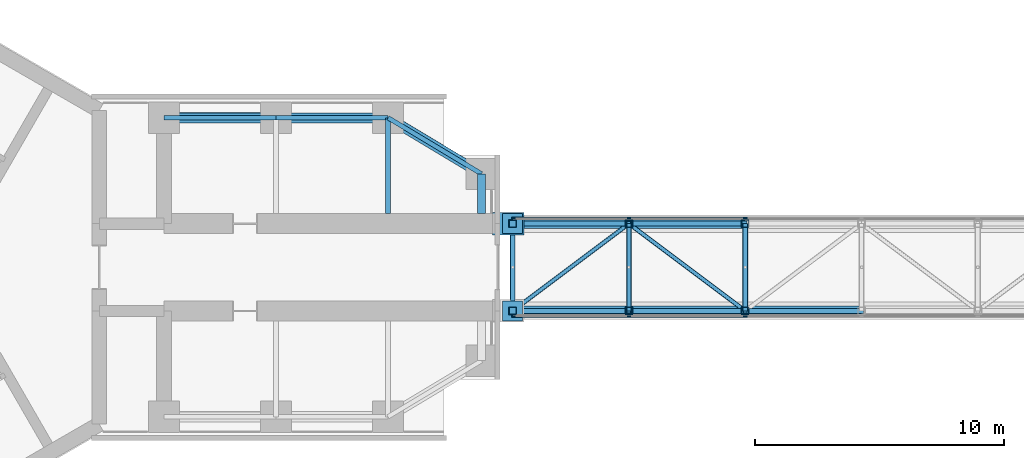
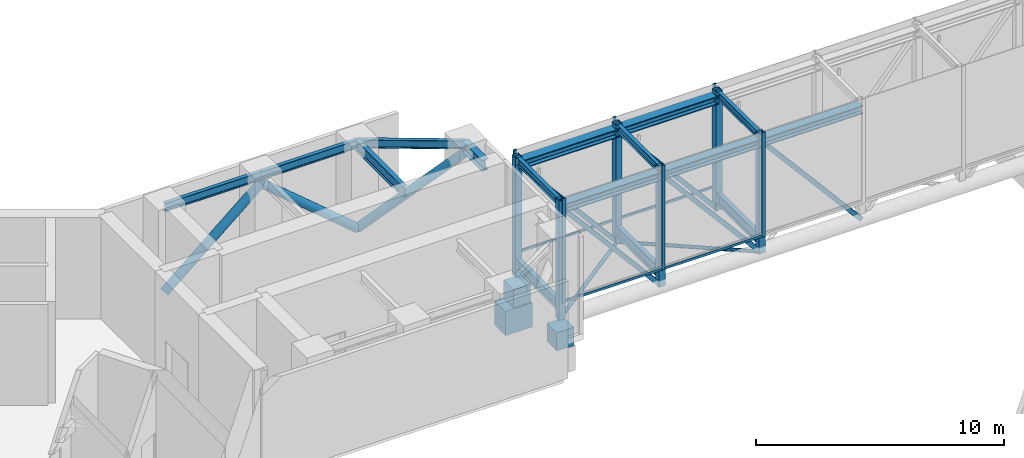
# One storey, part 2 of 15: 33 members, 12 beams, 2 elements without a shape of their own.
"""IFC4 building model written with IfcOpenShell, lengths in metres."""

import ifcopenshell
import ifcopenshell.guid

model = None  # the IFC model being written
_history = None  # IfcOwnerHistory: only IFC2X3 demands one
_inside = {}  # id of a spatial element -> (the spatial element, [elements in it])
_under = {}  # id of a project, library or spatial element -> (it, [spatial elements below it])
_declared = {}  # id of a project -> (the project, [libraries it declares])
_typed = {}  # id of a type object -> (the type object, [elements of that type])
_made_of = {}  # id of a material, layer set ... -> (it, [elements and type objects made of it])


def new_model(schema):
    """Start an empty IFC model of exactly this schema.

    Asked for "IFC4X3", IfcOpenShell would pick the latest addendum, in which some entities
    have other attributes; the version numbers below select the first issue.
    IFC2X3 requires an IfcOwnerHistory on every rooted entity: one is made here for all.
    """
    global model, _history
    if schema == "IFC4X3":
        model = ifcopenshell.file(schema_version=(4, 3, 0, 0))
    else:
        model = ifcopenshell.file(schema=schema)
    _inside.clear()
    _under.clear()
    _declared.clear()
    _typed.clear()
    _made_of.clear()
    _history = None
    if model.schema == "IFC2X3":
        org = make("IfcOrganization", Name="unknown")
        user = make(
            "IfcPersonAndOrganization",
            ThePerson=make("IfcPerson", FamilyName="unknown"),
            TheOrganization=org,
        )
        app = make(
            "IfcApplication",
            ApplicationDeveloper=org,
            Version="unknown",
            ApplicationFullName="unknown",
            ApplicationIdentifier="unknown",
        )
        _history = make(
            "IfcOwnerHistory",
            OwningUser=user,
            OwningApplication=app,
            ChangeAction="ADDED",
            CreationDate=0,
        )
    return model


def make(cls, **values):
    """One entity of the class cls with the attributes given. An attribute that is None is left unset."""
    return model.create_entity(
        cls, **{name: value for name, value in values.items() if value is not None}
    )


def rooted(cls, **values):
    """An entity with a GlobalId (a new one), such as an element, a storey or a relation."""
    return make(cls, GlobalId=ifcopenshell.guid.new(), OwnerHistory=_history, **values)


def si_unit(unit_type, name, prefix=None):
    """IfcSIUnit, for example si_unit("LENGTHUNIT", "METRE", prefix="MILLI")."""
    return make("IfcSIUnit", UnitType=unit_type, Prefix=prefix, Name=name)


def assignment(units):
    """IfcUnitAssignment: the units of a project."""
    return None if units is None else make("IfcUnitAssignment", Units=units)


def point(xyz):
    """IfcCartesianPoint."""
    return None if xyz is None else make("IfcCartesianPoint", Coordinates=xyz)


def direction(xyz):
    """IfcDirection."""
    return None if xyz is None else make("IfcDirection", DirectionRatios=xyz)


def frame(location, z_axis=None, x_axis=None):
    """IfcAxis2Placement3D, a coordinate frame: its origin and axes. An axis left out is left unset."""
    return make(
        "IfcAxis2Placement3D",
        Location=point(location),
        Axis=direction(z_axis),
        RefDirection=direction(x_axis),
    )


def frame_2d(location, x_axis=None):
    """IfcAxis2Placement2D, a coordinate frame in the plane: its origin and x axis."""
    return make(
        "IfcAxis2Placement2D", Location=point(location), RefDirection=direction(x_axis)
    )


def origin():
    """The frame at (0, 0, 0) with its axes left unset."""
    return frame((0.0, 0.0, 0.0))


def origin_2d():
    """The frame at (0, 0) in the plane with its x axis left unset."""
    return frame_2d((0.0, 0.0))


def place(relative_to, where):
    """IfcLocalPlacement: puts the frame where relative to a parent placement (None: the world)."""
    return make(
        "IfcLocalPlacement", PlacementRelTo=relative_to, RelativePlacement=where
    )


def context(
    kind, dimensions, precision=None, world=None, true_north=None, identifier=None
):
    """IfcGeometricRepresentationContext, for example the 3D "Model" context."""
    return make(
        "IfcGeometricRepresentationContext",
        ContextIdentifier=identifier,
        ContextType=kind,
        CoordinateSpaceDimension=dimensions,
        Precision=precision,
        WorldCoordinateSystem=world,
        TrueNorth=true_north,
    )


def subcontext(parent, identifier, kind, view, scale=None):
    """IfcGeometricRepresentationSubContext, for example "Body" below "Model"."""
    return make(
        "IfcGeometricRepresentationSubContext",
        ContextIdentifier=identifier,
        ContextType=kind,
        ParentContext=parent,
        TargetScale=scale,
        TargetView=view,
    )


def project(units=None, contexts=None):
    """IfcProject with its units and contexts."""
    return rooted(
        "IfcProject",
        Name="project",
        RepresentationContexts=contexts,
        UnitsInContext=assignment(units),
    )


def spatial(cls, under=None, at=None, **own):
    """A site, building, storey or space (cls), placed at a placement, below another one or the project."""
    s = rooted(cls, ObjectPlacement=at, **own)
    if under is not None:
        _under.setdefault(under.id(), (under, []))[1].append(s)
    return s


def profile(cls, at=None, kind="AREA", **sizes):
    """A parametric profile (cls). Its sizes go by their IFC names, for example OverallWidth=200.0."""
    return make(cls, ProfileType=kind, Position=at, **sizes)


def rectangle(**sizes):
    """IfcRectangleProfileDef."""
    return profile("IfcRectangleProfileDef", **sizes)


def hollow_rectangle(**sizes):
    """IfcRectangleHollowProfileDef."""
    return profile("IfcRectangleHollowProfileDef", **sizes)


def hollow_circle(**sizes):
    """IfcCircleHollowProfileDef."""
    return profile("IfcCircleHollowProfileDef", **sizes)


def i_section(**sizes):
    """IfcIShapeProfileDef."""
    return profile("IfcIShapeProfileDef", **sizes)


def extrude(swept, where, along, depth):
    """IfcExtrudedAreaSolid: the profile swept, set in the frame where, extruded along a direction by depth."""
    return make(
        "IfcExtrudedAreaSolid",
        SweptArea=swept,
        Position=where,
        ExtrudedDirection=direction(along),
        Depth=depth,
    )


def shape(context_of_items, identifier, shape_type, items):
    """IfcShapeRepresentation: the items that make up one representation, for example the "Body"."""
    return make(
        "IfcShapeRepresentation",
        ContextOfItems=context_of_items,
        RepresentationIdentifier=identifier,
        RepresentationType=shape_type,
        Items=items,
    )


def material(Name=None, Category=None):
    """IfcMaterial."""
    return make("IfcMaterial", Name=Name, Category=Category)


def material_profile(
    of_material, cross_section, Name=None, Category=None, Priority=None
):
    """IfcMaterialProfile: a cross section and its material."""
    return make(
        "IfcMaterialProfile",
        Name=Name,
        Material=of_material,
        Profile=cross_section,
        Priority=Priority,
        Category=Category,
    )


def profile_set(profiles, Name=None, composite=None):
    """IfcMaterialProfileSet."""
    return make(
        "IfcMaterialProfileSet",
        Name=Name,
        MaterialProfiles=profiles,
        CompositeProfile=composite,
    )


def made_of(thing, what):
    """Note that an element or type object is made of a material, layer set ...; save() writes the relation."""
    if what is not None:
        _made_of.setdefault(what.id(), (what, []))[1].append(thing)
    return thing


def type_object(cls, material=None, **own):
    """A type object (cls), such as IfcWallType, which elements share."""
    return made_of(rooted(cls, **own), material)


def element(
    cls,
    number,
    at=None,
    inside=None,
    cuts=None,
    type_object=None,
    material=None,
    context=None,
    identifier="Body",
    shape_type=None,
    held_by="IfcProductDefinitionShape",
    body=None,
    shapes=None,
    **own,
):
    """One element of the class cls, such as IfcWall. Its Tag is "e" and its number.

    at: its placement. inside: the storey or other place that contains it. cuts: it is an
    opening in that element (IfcRelVoidsElement). A single representation is given by context,
    identifier, shape_type and body (its items); several are given by shapes. held_by: the class
    of the entity that holds the representations. save() writes the other relations.
    """
    e = rooted(cls, Tag="e%d" % number, ObjectPlacement=at, **own)
    if body is not None:
        shapes = [shape(context, identifier, shape_type, body)]
    if shapes is not None:
        e.Representation = make(held_by, Representations=shapes)
    if inside is not None:
        _inside.setdefault(inside.id(), (inside, []))[1].append(e)
    if cuts is not None:
        rooted(
            "IfcRelVoidsElement", RelatingBuildingElement=cuts, RelatedOpeningElement=e
        )
    if type_object is not None:
        _typed.setdefault(type_object.id(), (type_object, []))[1].append(e)
    return made_of(e, material)


def aggregate(whole, parts):
    """IfcRelAggregates: a whole, such as a stair, and the parts it consists of."""
    return rooted("IfcRelAggregates", RelatingObject=whole, RelatedObjects=parts)


def save(model, path):
    """Write the relations noted so far, then the file.

    IfcRelAggregates (storeys below a building ...), IfcRelContainedInSpatialStructure (elements
    in a storey), IfcRelDefinesByType, IfcRelAssociatesMaterial and IfcRelDeclares: one each for
    every whole, place, type object, material and project.
    """
    for whole, parts in _under.values():
        aggregate(whole, parts)
    for where, things in _inside.values():
        rooted(
            "IfcRelContainedInSpatialStructure",
            RelatedElements=things,
            RelatingStructure=where,
        )
    for kind, things in _typed.values():
        rooted("IfcRelDefinesByType", RelatedObjects=things, RelatingType=kind)
    for what, things in _made_of.values():
        rooted("IfcRelAssociatesMaterial", RelatedObjects=things, RelatingMaterial=what)
    for by, libraries in _declared.values():
        rooted("IfcRelDeclares", RelatingContext=by, RelatedDefinitions=libraries)
    model.write(path)


model = new_model("IFC4")

# Units and contexts
model_context = context("Model", 3, precision=1e-05, world=origin(), true_north=direction((0.0, 1.0)))
body_context = subcontext(model_context, "Body", "Model", "MODEL_VIEW")
ifc_project = project(units=[si_unit("LENGTHUNIT", "METRE"), si_unit("AREAUNIT", "SQUARE_METRE"), si_unit("VOLUMEUNIT", "CUBIC_METRE"), si_unit("PLANEANGLEUNIT", "RADIAN"), si_unit("MASSUNIT", "GRAM", prefix="KILO")], contexts=[model_context])

# Site, building, storey
site_placement = place(None, origin())
site = spatial("IfcSite", under=ifc_project, at=site_placement, CompositionType="ELEMENT")
building_placement = place(site_placement, origin())
building = spatial("IfcBuilding", under=site, at=building_placement, Name="Upepo Twin Towers", CompositionType="ELEMENT")
storey_placement = place(building_placement, frame((0.0, 0.0, 165.5)))
storey = spatial("IfcBuildingStorey", under=building, at=storey_placement, Name="L40", CompositionType="ELEMENT", Elevation=165.5)

# Beams
ifc_material_1 = material(Name="Steel S355", Category="steel")
ifc_material_profile_1 = material_profile(ifc_material_1, i_section(OverallWidth=0.17138671875, OverallDepth=0.35498046875, WebThickness=0.00732421875, FlangeThickness=0.011474609375, FilletRadius=0.01025390625, at=origin_2d()), Name="UB 356x171x51")
ifc_profile_set_1 = profile_set([ifc_material_profile_1], Name="Steel S355")
beam_type_1 = type_object("IfcBeamType", Name="Beam UB 356x171x51", PredefinedType="BEAM", material=ifc_profile_set_1)
for number, where, z_axis, x_axis, name in (
    (1, (27.5, -1.75, 4.62255859375), (0.0, 1.0, 0.0), (-1.0, 0.0, 0.0), "BR2 roof beam 0"),
    (2, (32.16796875, -1.75, 4.62255859375), (0.0, 1.0, 0.0), (-1.0, 0.0, 0.0), "BR2 roof beam 1"),
    (3, (36.8359375, -1.75, 4.62255859375), (0.0, 1.0, 0.0), (-1.0, 0.0, 0.0), "BR2 roof beam 2"),
):
    element("IfcBeam", number, at=place(storey_placement, frame(where, z_axis=z_axis, x_axis=x_axis)), inside=storey, type_object=beam_type_1, Name=name, PredefinedType="BEAM", context=body_context, shape_type="SweptSolid", body=[
        extrude(i_section(OverallWidth=0.17138671875, OverallDepth=0.35498046875, WebThickness=0.00732421875, FlangeThickness=0.011474609375, FilletRadius=0.01025390625, at=origin_2d()), origin(), (0.0, 0.0, 1.0), 3.5),
    ])
ifc_material_2 = material(Name="Steel S355", Category="steel")
ifc_material_profile_2 = material_profile(ifc_material_2, i_section(OverallWidth=0.177978515625, OverallDepth=0.406494140625, WebThickness=0.0078125, FlangeThickness=0.0126953125, FilletRadius=0.01025390625, at=origin_2d()), Name="UB 406x178x60")
ifc_profile_set_2 = profile_set([ifc_material_profile_2], Name="Steel S355")
beam_type_2 = type_object("IfcBeamType", Name="Beam UB 406x178x60", PredefinedType="BEAM", material=ifc_profile_set_2)
for number, where, z_axis, x_axis, name in (
    (4, (13.5, 6.0, 4.5966796875), (1.0, 0.0, 0.0), (0.0, 1.0, 0.0), "T1 edge beam AL 13.5-18.0"),
    (5, (18.0, 6.0, 4.5966796875), (1.0, 0.0, 0.0), (0.0, 1.0, 0.0), "T1 edge beam AL 18.0-22.5"),
):
    element("IfcBeam", number, at=place(storey_placement, frame(where, z_axis=z_axis, x_axis=x_axis)), inside=storey, type_object=beam_type_2, Name=name, PredefinedType="BEAM", context=body_context, shape_type="SweptSolid", body=[
        extrude(i_section(OverallWidth=0.177978515625, OverallDepth=0.406494140625, WebThickness=0.0078125, FlangeThickness=0.0126953125, FilletRadius=0.01025390625, at=origin_2d()), origin(), (0.0, 0.0, 1.0), 4.5),
    ])
beam_1_placement = place(storey_placement, frame((22.5, 6.0, 4.5966796875), z_axis=(0.857492925713, -0.514495755428, 0.0), x_axis=(0.514495755428, 0.857492925713, 0.0)))
element("IfcBeam", 6, at=beam_1_placement, inside=storey, type_object=beam_type_2, Name="T1 nose edge beam AL", PredefinedType="BEAM", context=body_context, shape_type="SweptSolid", body=[
    extrude(i_section(OverallWidth=0.177978515625, OverallDepth=0.406494140625, WebThickness=0.0078125, FlangeThickness=0.0126953125, FilletRadius=0.01025390625, at=origin_2d()), origin(), (0.0, 0.0, 1.0), 4.373291015625),
])
ifc_material_3 = material(Name="Steel S355", Category="steel")
ifc_material_profile_3 = material_profile(ifc_material_3, i_section(OverallWidth=0.209228515625, OverallDepth=0.533203125, WebThickness=0.010009765625, FlangeThickness=0.015625, FilletRadius=0.0126953125, at=origin_2d()), Name="UB 533x210x92")
ifc_profile_set_3 = profile_set([ifc_material_profile_3], Name="Steel S355")
beam_type_3 = type_object("IfcBeamType", Name="Beam UB 533x210x92", PredefinedType="BEAM", material=ifc_profile_set_3)
beam_2_placement = place(storey_placement, frame((22.5, 6.0, 4.533447265625), z_axis=(0.0, -1.0, 0.0), x_axis=(1.0, 0.0, 0.0)))
element("IfcBeam", 7, at=beam_2_placement, inside=storey, type_object=beam_type_3, Name="T1 girder AL at 22.5", PredefinedType="BEAM", context=body_context, shape_type="SweptSolid", body=[
    extrude(i_section(OverallWidth=0.209228515625, OverallDepth=0.533203125, WebThickness=0.010009765625, FlangeThickness=0.015625, FilletRadius=0.0126953125, at=origin_2d()), origin(), (0.0, 0.0, 1.0), 3.85009765625),
])
for number, where, z_axis, x_axis, name in (
    (8, (27.5, -1.75, -0.466552734375), (0.0, 1.0, 0.0), (-1.0, 0.0, 0.0), "BR2 floor beam 0"),
    (9, (32.16796875, -1.75, -0.466552734375), (0.0, 1.0, 0.0), (-1.0, 0.0, 0.0), "BR2 floor beam 1"),
    (10, (36.8359375, -1.75, -0.466552734375), (0.0, 1.0, 0.0), (-1.0, 0.0, 0.0), "BR2 floor beam 2"),
):
    element("IfcBeam", number, at=place(storey_placement, frame(where, z_axis=z_axis, x_axis=x_axis)), inside=storey, type_object=beam_type_3, Name=name, PredefinedType="BEAM", context=body_context, shape_type="SweptSolid", body=[
        extrude(i_section(OverallWidth=0.209228515625, OverallDepth=0.533203125, WebThickness=0.010009765625, FlangeThickness=0.015625, FilletRadius=0.0126953125, at=origin_2d()), origin(), (0.0, 0.0, 1.0), 3.5),
    ])
ifc_material_4 = material(Name="Steel S355", Category="steel")
ifc_material_profile_4 = material_profile(ifc_material_4, i_section(OverallWidth=0.31201171875, OverallDepth=0.54345703125, WebThickness=0.0126953125, FlangeThickness=0.020263671875, FilletRadius=0.0126953125, at=origin_2d()), Name="UB 533x312x150")
ifc_profile_set_4 = profile_set([ifc_material_profile_4], Name="Steel S355")
beam_type_4 = type_object("IfcBeamType", Name="Beam UB 533x312x150", PredefinedType="BEAM", material=ifc_profile_set_4)
beam_3_placement = place(storey_placement, frame((26.25, 3.75, 4.5283203125), z_axis=(0.0, -1.0, 0.0), x_axis=(1.0, 0.0, 0.0)))
element("IfcBeam", 11, at=beam_3_placement, inside=storey, type_object=beam_type_4, Name="T1 nose beam AL", PredefinedType="BEAM", context=body_context, shape_type="SweptSolid", body=[
    extrude(i_section(OverallWidth=0.31201171875, OverallDepth=0.54345703125, WebThickness=0.0126953125, FlangeThickness=0.020263671875, FilletRadius=0.0126953125, at=origin_2d()), origin(), (0.0, 0.0, 1.0), 1.60009765625),
])

# Members
ifc_material_5 = material(Name="Steel S355", Category="steel")
ifc_material_profile_5 = material_profile(ifc_material_5, hollow_circle(Radius=0.203125, WallThickness=0.02001953125, at=origin_2d()), Name="CHS 406.4x20.0")
ifc_profile_set_5 = profile_set([ifc_material_profile_5], Name="Steel S355")
member_type_1 = type_object("IfcMemberType", Name="Belt truss diagonal CHS 406.4x20.0", PredefinedType="BRACE", material=ifc_profile_set_5)
for number, where, z_axis, x_axis, name in (
    (12, (13.5, 6.0, 0.39990234375), (0.764025829276, 0.0, 0.645185657155), (0.0, 1.0, 0.0), "T1 belt truss diagonal AL1"),
    (13, (22.5, 6.0, 0.39990234375), (-0.764025829276, 0.0, 0.645185657155), (0.0, -1.0, 0.0), "T1 belt truss diagonal AL2"),
):
    element("IfcMember", number, at=place(storey_placement, frame(where, z_axis=z_axis, x_axis=x_axis)), inside=storey, type_object=member_type_1, Name=name, PredefinedType="BRACE", context=body_context, shape_type="SweptSolid", body=[
        extrude(hollow_circle(Radius=0.203125, WallThickness=0.02001953125, at=origin_2d()), origin(), (0.0, 0.0, 1.0), 5.889892578125),
    ])
member_1_placement = place(storey_placement, frame((22.5, 6.0, 0.39990234375), z_axis=(0.647270093312, -0.388362055987, 0.655908789218), x_axis=(0.514495755428, 0.857492925713, 0.0)))
element("IfcMember", 14, at=member_1_placement, inside=storey, type_object=member_type_1, Name="T1 belt truss nose diagonal AL", PredefinedType="BRACE", context=body_context, shape_type="SweptSolid", body=[
    extrude(hollow_circle(Radius=0.203125, WallThickness=0.02001953125, at=origin_2d()), origin(), (0.0, 0.0, 1.0), 5.79345703125),
])

# Beam
ifc_material_6 = material(Name="Concrete C60/75", Category="concrete")
ifc_material_profile_6 = material_profile(ifc_material_6, rectangle(XDim=0.89990234375, YDim=1.199951171875, at=origin_2d()), Name="RC 900x1200")
ifc_profile_set_6 = profile_set([ifc_material_profile_6], Name="Concrete C60/75")
beam_type_5 = type_object("IfcBeamType", Name="Bridge bearing beam RC 900x1200", PredefinedType="BEAM", material=ifc_profile_set_6)
beam_4_placement = place(storey_placement, frame((26.699951171875, 1.75, -2.944091796875), z_axis=(1.0, 0.0, 0.0), x_axis=(0.0, 1.0, 0.0)))
element("IfcBeam", 15, at=beam_4_placement, inside=storey, type_object=beam_type_5, Name="BR2 bearing corbel at T1 N", PredefinedType="BEAM", context=body_context, shape_type="SweptSolid", body=[
    extrude(rectangle(XDim=0.89990234375, YDim=1.199951171875, at=origin_2d()), origin(), (0.0, 0.0, 1.0), 1.25),
])

# Members
ifc_material_7 = material(Name="Steel S355 with elastomer", Category="steel")
ifc_material_profile_7 = material_profile(ifc_material_7, rectangle(XDim=0.800048828125, YDim=0.800048828125, at=origin_2d()), Name="BEARING 800x800 PINNED")
ifc_profile_set_7 = profile_set([ifc_material_profile_7], Name="Steel S355 with elastomer")
member_type_2 = type_object("IfcMemberType", Name="Bridge bearing, pinned", PredefinedType="USERDEFINED", material=ifc_profile_set_7)
for number, where, z_axis, x_axis, name in (
    (16, (27.5, 1.75, -2.343994140625), (0.0, 0.0, 1.0), (1.0, 0.0, 0.0), "BR2 pinned bearing at T1 N"),
    (17, (27.5, -1.75, -2.343994140625), (0.0, 0.0, 1.0), (1.0, 0.0, 0.0), "BR2 pinned bearing at T1 S"),
):
    element("IfcMember", number, at=place(storey_placement, frame(where, z_axis=z_axis, x_axis=x_axis)), inside=storey, type_object=member_type_2, Name=name, ObjectType="BEARING", PredefinedType="USERDEFINED", context=body_context, shape_type="SweptSolid", body=[
        extrude(rectangle(XDim=0.800048828125, YDim=0.800048828125, at=origin_2d()), origin(), (0.0, 0.0, 1.0), 0.89990234375),
    ])
ifc_material_8 = material(Name="Steel S355", Category="steel")
ifc_material_profile_8 = material_profile(ifc_material_8, i_section(OverallWidth=0.403076171875, OverallDepth=0.406494140625, WebThickness=0.026611328125, FlangeThickness=0.04296875, FilletRadius=0.01513671875, at=origin_2d()), Name="UC 356x406x340")
ifc_profile_set_8 = profile_set([ifc_material_profile_8], Name="Steel S355")
member_type_3 = type_object("IfcMemberType", Name="Bridge chord UC 356x406x340", PredefinedType="CHORD", material=ifc_profile_set_8)
for number, where, z_axis, x_axis, name in (
    (18, (27.5, 1.75, 4.39990234375), (1.0, 0.0, 0.0), (0.0, 1.0, 0.0), "BR2 top chord N1"),
    (19, (32.16796875, 1.75, 4.39990234375), (1.0, 0.0, 0.0), (0.0, 1.0, 0.0), "BR2 top chord N2"),
    (20, (27.5, -1.75, 4.39990234375), (1.0, 0.0, 0.0), (0.0, 1.0, 0.0), "BR2 top chord S1"),
    (21, (32.16796875, -1.75, 4.39990234375), (1.0, 0.0, 0.0), (0.0, 1.0, 0.0), "BR2 top chord S2"),
    (22, (36.8359375, -1.75, 4.39990234375), (1.0, 0.0, 0.0), (0.0, 1.0, 0.0), "BR2 top chord S3"),
):
    element("IfcMember", number, at=place(storey_placement, frame(where, z_axis=z_axis, x_axis=x_axis)), inside=storey, type_object=member_type_3, Name=name, PredefinedType="CHORD", context=body_context, shape_type="SweptSolid", body=[
        extrude(i_section(OverallWidth=0.403076171875, OverallDepth=0.406494140625, WebThickness=0.026611328125, FlangeThickness=0.04296875, FilletRadius=0.01513671875, at=origin_2d()), origin(), (0.0, 0.0, 1.0), 4.66796875),
    ])
ifc_material_9 = material(Name="Steel S355", Category="steel")
ifc_material_profile_9 = material_profile(ifc_material_9, hollow_rectangle(XDim=0.199951171875, YDim=0.199951171875, WallThickness=0.010009765625, at=origin_2d()), Name="SHS 200x200x10.0")
ifc_profile_set_9 = profile_set([ifc_material_profile_9], Name="Steel S355")
member_type_4 = type_object("IfcMemberType", Name="Bridge diagonal SHS 200x200x10.0", PredefinedType="BRACE", material=ifc_profile_set_9)
for number, where, z_axis, x_axis, name in (
    (23, (27.5, 1.75, 4.39990234375), (0.647867731372, 0.0, -0.761752848795), (0.0, 1.0, 0.0), "BR2 diagonal N1"),
    (24, (32.16796875, 1.75, 4.39990234375), (0.647867731372, 0.0, -0.761752848795), (0.0, 1.0, 0.0), "BR2 diagonal N2"),
    (25, (27.5, -1.75, 4.39990234375), (0.647867731372, 0.0, -0.761752848795), (0.0, 1.0, 0.0), "BR2 diagonal S1"),
    (26, (32.16796875, -1.75, 4.39990234375), (0.647867731372, 0.0, -0.761752848795), (0.0, 1.0, 0.0), "BR2 diagonal S2"),
    (27, (36.8359375, -1.75, 4.39990234375), (0.647867731372, 0.0, -0.761752848795), (0.0, 1.0, 0.0), "BR2 diagonal S3"),
):
    element("IfcMember", number, at=place(storey_placement, frame(where, z_axis=z_axis, x_axis=x_axis)), inside=storey, type_object=member_type_4, Name=name, PredefinedType="BRACE", context=body_context, shape_type="SweptSolid", body=[
        extrude(hollow_rectangle(XDim=0.199951171875, YDim=0.199951171875, WallThickness=0.010009765625, at=origin_2d()), origin(), (0.0, 0.0, 1.0), 7.205078125),
    ])
ifc_material_10 = material(Name="Steel S355", Category="steel")
ifc_material_profile_10 = material_profile(ifc_material_10, hollow_circle(Radius=0.084228515625, WallThickness=0.008056640625, at=origin_2d()), Name="CHS 168.3x8.0")
ifc_profile_set_10 = profile_set([ifc_material_profile_10], Name="Steel S355")
member_type_5 = type_object("IfcMemberType", Name="Bridge plan brace CHS 168.3x8.0", PredefinedType="BRACE", material=ifc_profile_set_10)
for number, where, z_axis, x_axis, name in (
    (28, (27.5, -1.75, -1.088623046875), (0.800080335623, 0.599892870894, 0.0), (-0.599892870894, 0.800080335623, 0.0), "BR2 plan brace 1"),
    (29, (32.16796875, 1.75, -1.088623046875), (0.800080335623, -0.599892870894, 0.0), (0.599892870894, 0.800080335623, 0.0), "BR2 plan brace 2"),
):
    element("IfcMember", number, at=place(storey_placement, frame(where, z_axis=z_axis, x_axis=x_axis)), inside=storey, type_object=member_type_5, Name=name, PredefinedType="BRACE", context=body_context, shape_type="SweptSolid", body=[
        extrude(hollow_circle(Radius=0.084228515625, WallThickness=0.008056640625, at=origin_2d()), origin(), (0.0, 0.0, 1.0), 5.83447265625),
    ])
ifc_material_11 = material(Name="Steel S355", Category="steel")
ifc_material_profile_11 = material_profile(ifc_material_11, hollow_rectangle(XDim=0.300048828125, YDim=0.300048828125, WallThickness=0.012451171875, at=origin_2d()), Name="SHS 300x300x12.5")
ifc_profile_set_11 = profile_set([ifc_material_profile_11], Name="Steel S355")
member_type_6 = type_object("IfcMemberType", Name="Bridge post SHS 300x300x12.5", PredefinedType="POST", material=ifc_profile_set_11)
for number, where, z_axis, x_axis, name in (
    (30, (27.5, 1.75, -1.088623046875), (0.0, 0.0, 1.0), (1.0, 0.0, 0.0), "BR2 end post N0"),
    (31, (32.16796875, 1.75, -1.088623046875), (0.0, 0.0, 1.0), (1.0, 0.0, 0.0), "BR2 vertical N1"),
    (32, (36.8359375, 1.75, -1.088623046875), (0.0, 0.0, 1.0), (1.0, 0.0, 0.0), "BR2 vertical N2"),
    (33, (27.5, -1.75, -1.088623046875), (0.0, 0.0, 1.0), (1.0, 0.0, 0.0), "BR2 end post S0"),
    (34, (32.16796875, -1.75, -1.088623046875), (0.0, 0.0, 1.0), (1.0, 0.0, 0.0), "BR2 vertical S1"),
    (35, (36.8359375, -1.75, -1.088623046875), (0.0, 0.0, 1.0), (1.0, 0.0, 0.0), "BR2 vertical S2"),
):
    element("IfcMember", number, at=place(storey_placement, frame(where, z_axis=z_axis, x_axis=x_axis)), inside=storey, type_object=member_type_6, Name=name, PredefinedType="POST", context=body_context, shape_type="SweptSolid", body=[
        extrude(hollow_rectangle(XDim=0.300048828125, YDim=0.300048828125, WallThickness=0.012451171875, at=origin_2d()), origin(), (0.0, 0.0, 1.0), 5.888671875),
    ])

# Curtain wall, members
ifc_material_12 = material(Name="Aluminium and clear glass", Category="aluminium")
curtain_wall_type = type_object("IfcCurtainWallType", Name="Bridge curtain wall BW1", PredefinedType="NOTDEFINED", material=ifc_material_12)
curtain_wall_1_placement = place(storey_placement, origin())
curtain_wall_1 = element("IfcCurtainWall", 36, at=curtain_wall_1_placement, inside=storey, type_object=curtain_wall_type, Name="BR2 curtain wall N", PredefinedType="NOTDEFINED")
ifc_material_13 = material(Name="Aluminium mullion", Category="aluminium")
ifc_material_profile_12 = material_profile(ifc_material_13, rectangle(XDim=0.06494140625, YDim=0.14990234375, at=origin_2d()), Name="MULLION 65x150 BRIDGE")
ifc_profile_set_12 = profile_set([ifc_material_profile_12], Name="Aluminium mullion")
member_type_7 = type_object("IfcMemberType", Name="Mullion 65x150 BW1", PredefinedType="MULLION", material=ifc_profile_set_12)
member_2_placement = place(storey_placement, frame((36.8359375, 1.97509765625, -0.199951171875), z_axis=(0.0, 0.0, 1.0), x_axis=(0.0, -1.0, 0.0)))
member_2 = element("IfcMember", 37, at=member_2_placement, type_object=member_type_7, Name="BR2 curtain wall N mullion 4", PredefinedType="MULLION", context=body_context, shape_type="SweptSolid", body=[
    extrude(rectangle(XDim=0.06494140625, YDim=0.14990234375, at=origin_2d()), origin(), (0.0, 0.0, 1.0), 5.14990234375),
])
member_3_placement = place(storey_placement, frame((32.16796875, 1.97509765625, -0.199951171875), z_axis=(0.0, 0.0, 1.0), x_axis=(0.0, -1.0, 0.0)))
member_3 = element("IfcMember", 38, at=member_3_placement, type_object=member_type_7, Name="BR2 curtain wall N mullion 5", PredefinedType="MULLION", context=body_context, shape_type="SweptSolid", body=[
    extrude(rectangle(XDim=0.06494140625, YDim=0.14990234375, at=origin_2d()), origin(), (0.0, 0.0, 1.0), 5.14990234375),
])
member_4_placement = place(storey_placement, frame((27.532470703125, 1.97509765625, -0.199951171875), z_axis=(0.0, 0.0, 1.0), x_axis=(0.0, -1.0, 0.0)))
member_4 = element("IfcMember", 39, at=member_4_placement, type_object=member_type_7, Name="BR2 curtain wall N mullion 6", PredefinedType="MULLION", context=body_context, shape_type="SweptSolid", body=[
    extrude(rectangle(XDim=0.06494140625, YDim=0.14990234375, at=origin_2d()), origin(), (0.0, 0.0, 1.0), 5.14990234375),
])

curtain_wall_2_placement = place(storey_placement, origin())
curtain_wall_2 = element("IfcCurtainWall", 40, at=curtain_wall_2_placement, inside=storey, type_object=curtain_wall_type, Name="BR2 curtain wall S", PredefinedType="NOTDEFINED")
member_5_placement = place(storey_placement, frame((27.532470703125, -1.97509765625, -0.199951171875), z_axis=(0.0, 0.0, 1.0), x_axis=(0.0, 1.0, 0.0)))
member_5 = element("IfcMember", 41, at=member_5_placement, type_object=member_type_7, Name="BR2 curtain wall S mullion 1", PredefinedType="MULLION", context=body_context, shape_type="SweptSolid", body=[
    extrude(rectangle(XDim=0.06494140625, YDim=0.14990234375, at=origin_2d()), origin(), (0.0, 0.0, 1.0), 5.14990234375),
])
member_6_placement = place(storey_placement, frame((32.16796875, -1.97509765625, -0.199951171875), z_axis=(0.0, 0.0, 1.0), x_axis=(0.0, 1.0, 0.0)))
member_6 = element("IfcMember", 42, at=member_6_placement, type_object=member_type_7, Name="BR2 curtain wall S mullion 2", PredefinedType="MULLION", context=body_context, shape_type="SweptSolid", body=[
    extrude(rectangle(XDim=0.06494140625, YDim=0.14990234375, at=origin_2d()), origin(), (0.0, 0.0, 1.0), 5.14990234375),
])
member_7_placement = place(storey_placement, frame((36.8359375, -1.97509765625, -0.199951171875), z_axis=(0.0, 0.0, 1.0), x_axis=(0.0, 1.0, 0.0)))
member_7 = element("IfcMember", 43, at=member_7_placement, type_object=member_type_7, Name="BR2 curtain wall S mullion 3", PredefinedType="MULLION", context=body_context, shape_type="SweptSolid", body=[
    extrude(rectangle(XDim=0.06494140625, YDim=0.14990234375, at=origin_2d()), origin(), (0.0, 0.0, 1.0), 5.14990234375),
])

# Member
ifc_material_14 = material(Name="Aluminium transom", Category="aluminium")
ifc_material_profile_13 = material_profile(ifc_material_14, rectangle(XDim=0.06494140625, YDim=0.1201171875, at=origin_2d()), Name="TRANSOM 65x120 BRIDGE")
ifc_profile_set_13 = profile_set([ifc_material_profile_13], Name="Aluminium transom")
member_type_8 = type_object("IfcMemberType", Name="Transom 65x120 BW1", PredefinedType="USERDEFINED", material=ifc_profile_set_13)
member_8_placement = place(storey_placement, frame((36.803466796875, 1.97509765625, -0.139892578125), z_axis=(-1.0, 0.0, 0.0), x_axis=(0.0, -1.0, 0.0)))
member_8 = element("IfcMember", 44, at=member_8_placement, type_object=member_type_8, Name="BR2 curtain wall N transom 4", ObjectType="TRANSOM", PredefinedType="USERDEFINED", context=body_context, shape_type="SweptSolid", body=[
    extrude(rectangle(XDim=0.06494140625, YDim=0.1201171875, at=origin_2d()), origin(), (0.0, 0.0, 1.0), 4.60302734375),
])

member_9_placement = place(storey_placement, frame((32.135498046875, 1.97509765625, -0.139892578125), z_axis=(-1.0, 0.0, 0.0), x_axis=(0.0, -1.0, 0.0)))
member_9 = element("IfcMember", 45, at=member_9_placement, type_object=member_type_8, Name="BR2 curtain wall N transom 5", ObjectType="TRANSOM", PredefinedType="USERDEFINED", context=body_context, shape_type="SweptSolid", body=[
    extrude(rectangle(XDim=0.06494140625, YDim=0.1201171875, at=origin_2d()), origin(), (0.0, 0.0, 1.0), 4.570556640625),
])

aggregate(curtain_wall_1, [member_2, member_3, member_4, member_8, member_9])

member_10_placement = place(storey_placement, frame((27.56494140625, -1.97509765625, -0.139892578125), z_axis=(1.0, 0.0, 0.0), x_axis=(0.0, 1.0, 0.0)))
member_10 = element("IfcMember", 46, at=member_10_placement, type_object=member_type_8, Name="BR2 curtain wall S transom 1", ObjectType="TRANSOM", PredefinedType="USERDEFINED", context=body_context, shape_type="SweptSolid", body=[
    extrude(rectangle(XDim=0.06494140625, YDim=0.1201171875, at=origin_2d()), origin(), (0.0, 0.0, 1.0), 4.570556640625),
])

member_11_placement = place(storey_placement, frame((32.200439453125, -1.97509765625, -0.139892578125), z_axis=(1.0, 0.0, 0.0), x_axis=(0.0, 1.0, 0.0)))
member_11 = element("IfcMember", 47, at=member_11_placement, type_object=member_type_8, Name="BR2 curtain wall S transom 2", ObjectType="TRANSOM", PredefinedType="USERDEFINED", context=body_context, shape_type="SweptSolid", body=[
    extrude(rectangle(XDim=0.06494140625, YDim=0.1201171875, at=origin_2d()), origin(), (0.0, 0.0, 1.0), 4.60302734375),
])

aggregate(curtain_wall_2, [member_5, member_6, member_7, member_10, member_11])

save(model, "model.ifc")
